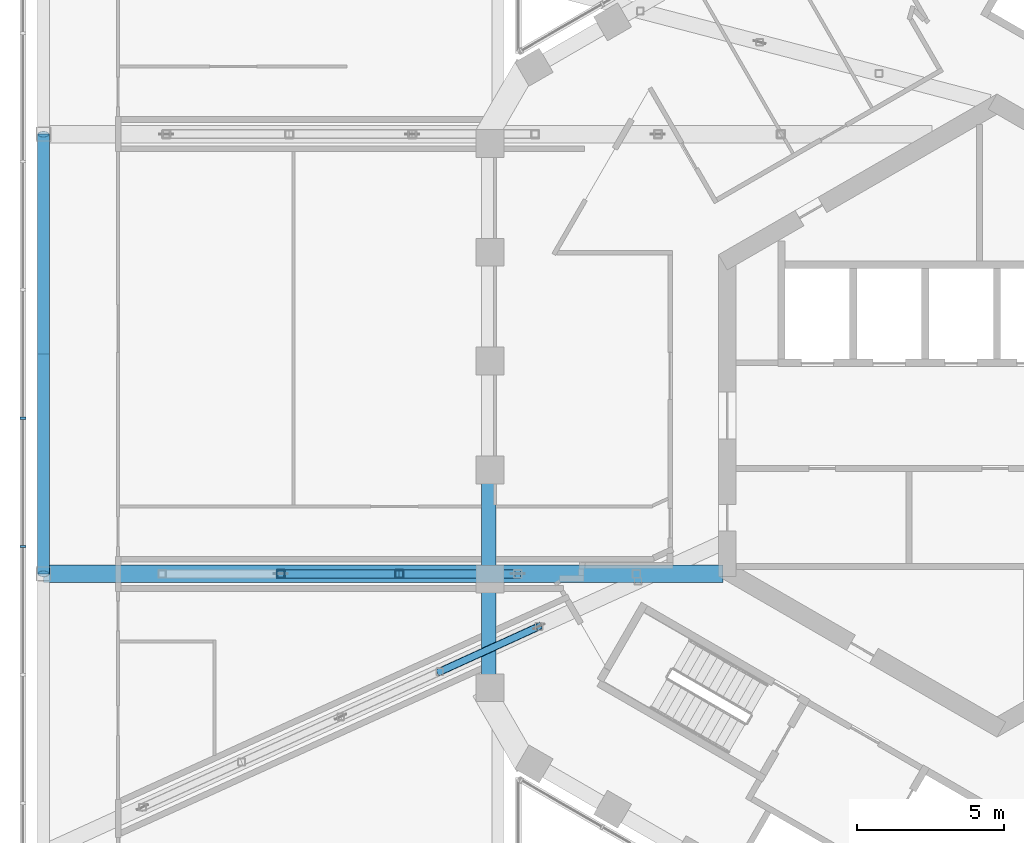
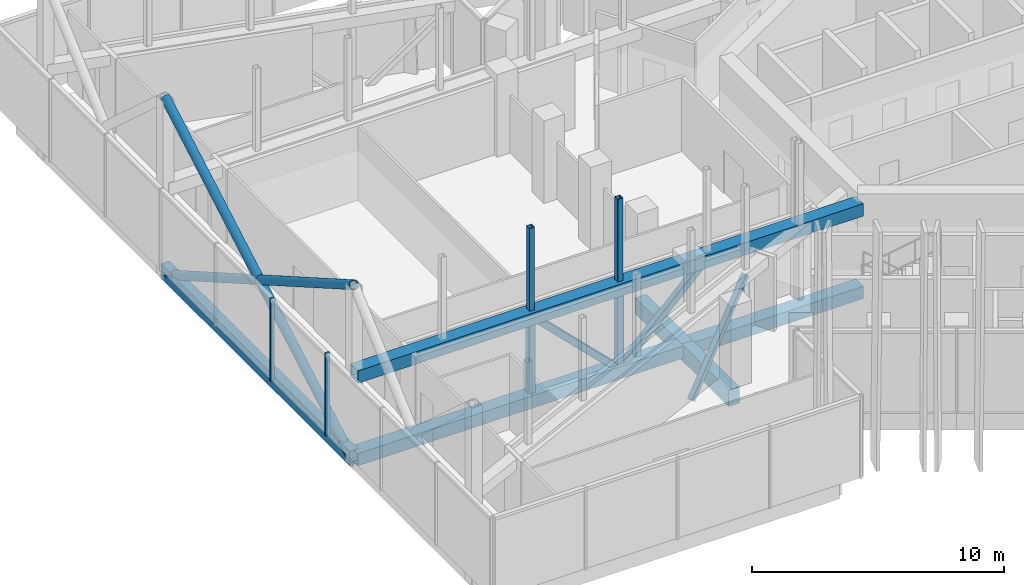
# One storey, part 4 of 28: 13 members, 3 beams, 1 element without a shape of its own.
"""IFC4 building model written with IfcOpenShell, lengths in metres."""

from ifc_helpers import new_model, si_unit, direction, frame, origin, origin_2d, place, context, subcontext, project, spatial, rectangle, hollow_rectangle, hollow_circle, extrude, material, layer, layer_set, material_profile, profile_set, type_object, element, aggregate, save


model = new_model("IFC4")

# Units and contexts
model_context = context("Model", 3, precision=1e-05, world=origin(), true_north=direction((0.0, 1.0)))
body_context = subcontext(model_context, "Body", "Model", "MODEL_VIEW")
ifc_project = project(units=[si_unit("LENGTHUNIT", "METRE"), si_unit("AREAUNIT", "SQUARE_METRE"), si_unit("VOLUMEUNIT", "CUBIC_METRE"), si_unit("PLANEANGLEUNIT", "RADIAN"), si_unit("MASSUNIT", "GRAM", prefix="KILO")], contexts=[model_context])

# Site, building, storey
site_placement = place(None, origin())
site = spatial("IfcSite", under=ifc_project, at=site_placement, CompositionType="ELEMENT")
building_placement = place(site_placement, origin())
building = spatial("IfcBuilding", under=site, at=building_placement, Name="Ayvan Gate Tower", CompositionType="ELEMENT")
storey_placement = place(building_placement, frame((0.0, 0.0, 202.10009765625)))
storey = spatial("IfcBuildingStorey", under=building, at=storey_placement, Name="L54", CompositionType="ELEMENT", Elevation=202.10009765625)

# Beam
ifc_material_1 = material(Name="Concrete C40/50", Category="concrete")
ifc_material_profile_1 = material_profile(ifc_material_1, rectangle(XDim=0.39990234375, YDim=0.699951171875, at=origin_2d()), Name="RC 400x700")
ifc_profile_set_1 = profile_set([ifc_material_profile_1], Name="Concrete C40/50")
beam_type_1 = type_object("IfcBeamType", Name="Sky bar edge beam RC 400x700 C40/50", PredefinedType="BEAM", material=ifc_profile_set_1)
beam_placement = place(storey_placement, frame((-32.524169921875, -5.39990234375, -0.75), z_axis=(0.0, 1.0, 0.0), x_axis=(-1.0, 0.0, 0.0)))
element("IfcBeam", 1, at=beam_placement, inside=storey, type_object=beam_type_1, Name="EB-B5-L54-5", PredefinedType="BEAM", context=body_context, shape_type="SweptSolid", body=[
    extrude(rectangle(XDim=0.39990234375, YDim=0.699951171875, at=origin_2d()), origin(), (0.0, 0.0, 1.0), 15.0),
])

# Members
ifc_material_2 = material(Name="Steel S460NH", Category="steel")
ifc_material_profile_2 = material_profile(ifc_material_2, hollow_rectangle(XDim=0.260009765625, YDim=0.260009765625, WallThickness=0.01611328125, InnerFilletRadius=0.01611328125, OuterFilletRadius=0.02392578125, at=origin_2d()), Name="RHS 260x260x16")
ifc_profile_set_2 = profile_set([ifc_material_profile_2], Name="Steel S460NH")
member_type_1 = type_object("IfcMemberType", Name="Sky bar end truss brace B5 RHS 260x260x16", PredefinedType="BRACE", material=ifc_profile_set_2)
member_1_placement = place(storey_placement, frame((-15.625732421875, -7.193603515625, 3.2998046875), z_axis=(-0.61912850505, -0.282349075517, -0.732774790634), x_axis=(0.414931682057, -0.909852570049, 0.0)))
element("IfcMember", 2, at=member_1_placement, inside=storey, type_object=member_type_1, Name="SBT5-4-D-3", PredefinedType="BRACE", context=body_context, shape_type="SweptSolid", body=[
    extrude(hollow_rectangle(XDim=0.260009765625, YDim=0.260009765625, WallThickness=0.01611328125, InnerFilletRadius=0.01611328125, OuterFilletRadius=0.02392578125, at=origin_2d()), origin(), (0.0, 0.0, 1.0), 5.458740234375),
])
ifc_material_profile_3 = material_profile(ifc_material_2, hollow_circle(Radius=0.203125, WallThickness=0.01611328125, at=origin_2d()), Name="CHS 406.4x16")
ifc_profile_set_3 = profile_set([ifc_material_profile_3], Name="Steel S460NH")
member_type_2 = type_object("IfcMemberType", Name="Sky bar exoskeleton brace CHS 406.4x16", PredefinedType="BRACE", material=ifc_profile_set_3)
for number, where, z_axis, x_axis, name in (
    (3, (-32.524169921875, 9.60009765625, -1.0), (0.0, -0.867534084296, 0.497377736317), (1.0, 0.0, 0.0), "EXO-B5-D2A"),
    (4, (-32.524169921875, -5.39990234375, -1.0), (0.0, 0.867534084296, 0.497377736317), (-1.0, 0.0, 0.0), "EXO-B5-D2B"),
):
    element("IfcMember", number, at=place(storey_placement, frame(where, z_axis=z_axis, x_axis=x_axis)), inside=storey, type_object=member_type_2, Name=name, PredefinedType="BRACE", context=body_context, shape_type="SweptSolid", body=[
        extrude(hollow_circle(Radius=0.203125, WallThickness=0.01611328125, at=origin_2d()), origin(), (0.0, 0.0, 1.0), 17.290283203125),
    ])
ifc_material_profile_4 = material_profile(ifc_material_2, hollow_rectangle(XDim=0.300048828125, YDim=0.300048828125, WallThickness=0.01611328125, InnerFilletRadius=0.01611328125, OuterFilletRadius=0.02392578125, at=origin_2d()), Name="RHS 300x300x16")
ifc_profile_set_4 = profile_set([ifc_material_profile_4], Name="Steel S460NH")
member_type_3 = type_object("IfcMemberType", Name="Sky bar truss brace B5 RHS 300x300x16", PredefinedType="BRACE", material=ifc_profile_set_4)
member_2_placement = place(storey_placement, frame((-16.344970703125, -5.39990234375, 3.2998046875), z_axis=(-0.711022875623, 0.0, -0.70316887754), x_axis=(0.0, -1.0, 0.0)))
element("IfcMember", 5, at=member_2_placement, inside=storey, type_object=member_type_3, Name="SBT5-3-D-3", PredefinedType="BRACE", context=body_context, shape_type="SweptSolid", body=[
    extrude(hollow_rectangle(XDim=0.300048828125, YDim=0.300048828125, WallThickness=0.01611328125, InnerFilletRadius=0.01611328125, OuterFilletRadius=0.02392578125, at=origin_2d()), origin(), (0.0, 0.0, 1.0), 5.6884765625),
])
member_3_placement = place(storey_placement, frame((-20.3896484375, -5.39990234375, -0.7001953125), z_axis=(-0.711044095316, 0.0, 0.703147420187), x_axis=(0.0, -1.0, 0.0)))
element("IfcMember", 6, at=member_3_placement, inside=storey, type_object=member_type_3, Name="SBT5-3-D-4", PredefinedType="BRACE", context=body_context, shape_type="SweptSolid", body=[
    extrude(hollow_rectangle(XDim=0.300048828125, YDim=0.300048828125, WallThickness=0.01611328125, InnerFilletRadius=0.01611328125, OuterFilletRadius=0.02392578125, at=origin_2d()), origin(), (0.0, 0.0, 1.0), 5.688720703125),
])
ifc_material_3 = material(Name="Steel S460ML", Category="steel")
ifc_material_profile_5 = material_profile(ifc_material_3, hollow_rectangle(XDim=0.60009765625, YDim=0.60009765625, WallThickness=0.034912109375, at=origin_2d()), Name="BOX 600x600x35")
ifc_profile_set_5 = profile_set([ifc_material_profile_5], Name="Steel S460ML")
member_type_4 = type_object("IfcMemberType", Name="Sky bar truss chord B5 BOX 600x600x35", PredefinedType="CHORD", material=ifc_profile_set_5)
for number, where, z_axis, x_axis, name in (
    (7, (-9.35009765625, -5.39990234375, -0.7001953125), (-1.0, 0.0, 0.0), (0.0, -1.0, 0.0), "SBT5-3-BC-1"),
    (8, (-9.35009765625, -5.39990234375, 3.2998046875), (-1.0, 0.0, 0.0), (0.0, -1.0, 0.0), "SBT5-3-TC-1"),
):
    element("IfcMember", number, at=place(storey_placement, frame(where, z_axis=z_axis, x_axis=x_axis)), inside=storey, type_object=member_type_4, Name=name, PredefinedType="CHORD", context=body_context, shape_type="SweptSolid", body=[
        extrude(hollow_rectangle(XDim=0.60009765625, YDim=0.60009765625, WallThickness=0.034912109375, at=origin_2d()), origin(), (0.0, 0.0, 1.0), 23.174072265625),
    ])
ifc_material_profile_6 = material_profile(ifc_material_2, hollow_rectangle(XDim=0.300048828125, YDim=0.300048828125, WallThickness=0.012451171875, InnerFilletRadius=0.012451171875, OuterFilletRadius=0.018798828125, at=origin_2d()), Name="RHS 300x300x12.5")
ifc_profile_set_6 = profile_set([ifc_material_profile_6], Name="Steel S460NH")
member_type_5 = type_object("IfcMemberType", Name="Sky bar truss post B5 RHS 300x300x12.5", PredefinedType="POST", material=ifc_profile_set_6)
for number, where, z_axis, x_axis, name in (
    (9, (-20.3896484375, -5.39990234375, -0.400146484375), (0.0, 0.0, 1.0), (1.0, 0.0, 0.0), "SBT5-3-P-3"),
    (10, (-24.4345703125, -5.39990234375, -0.400146484375), (0.0, 0.0, 1.0), (1.0, 0.0, 0.0), "SBT5-3-P-4"),
):
    element("IfcMember", number, at=place(storey_placement, frame(where, z_axis=z_axis, x_axis=x_axis)), inside=storey, type_object=member_type_5, Name=name, PredefinedType="POST", context=body_context, shape_type="SweptSolid", body=[
        extrude(hollow_rectangle(XDim=0.300048828125, YDim=0.300048828125, WallThickness=0.012451171875, InnerFilletRadius=0.012451171875, OuterFilletRadius=0.018798828125, at=origin_2d()), origin(), (0.0, 0.0, 1.0), 3.400146484375),
    ])
ifc_material_profile_7 = material_profile(ifc_material_2, hollow_rectangle(XDim=0.25, YDim=0.25, WallThickness=0.012451171875, InnerFilletRadius=0.012451171875, OuterFilletRadius=0.018798828125, at=origin_2d()), Name="RHS 250x250x12.5")
ifc_profile_set_7 = profile_set([ifc_material_profile_7], Name="Steel S460NH")
member_type_6 = type_object("IfcMemberType", Name="Sky bar upper post B5 RHS 250x250x12.5", PredefinedType="POST", material=ifc_profile_set_7)
for number, where, z_axis, x_axis, name in (
    (11, (-20.3896484375, -5.39990234375, 3.599853515625), (0.0, 0.0, 1.0), (1.0, 0.0, 0.0), "SBT5-3-U-3"),
    (12, (-24.4345703125, -5.39990234375, 3.599853515625), (0.0, 0.0, 1.0), (1.0, 0.0, 0.0), "SBT5-3-U-4"),
):
    element("IfcMember", number, at=place(storey_placement, frame(where, z_axis=z_axis, x_axis=x_axis)), inside=storey, type_object=member_type_6, Name=name, PredefinedType="POST", context=body_context, shape_type="SweptSolid", body=[
        extrude(hollow_rectangle(XDim=0.25, YDim=0.25, WallThickness=0.012451171875, InnerFilletRadius=0.012451171875, OuterFilletRadius=0.018798828125, at=origin_2d()), origin(), (0.0, 0.0, 1.0), 4.0),
    ])

# Beams
ifc_material_profile_8 = material_profile(ifc_material_1, rectangle(XDim=0.5, YDim=0.800048828125, at=origin_2d()), Name="RC 500x800")
ifc_profile_set_8 = profile_set([ifc_material_profile_8], Name="Concrete C40/50")
beam_type_2 = type_object("IfcBeamType", Name="Spandrel beam RC 500x800 C40/50", PredefinedType="BEAM", material=ifc_profile_set_8)
for number, where, z_axis, x_axis, name in (
    (13, (-17.338134765625, -1.8515625, -0.800048828125), (0.0, -1.0, 0.0), (1.0, 0.0, 0.0), "SB-L54-22"),
    (14, (-17.338134765625, -5.5546875, -0.800048828125), (0.0, -1.0, 0.0), (1.0, 0.0, 0.0), "SB-L54-23"),
):
    element("IfcBeam", number, at=place(storey_placement, frame(where, z_axis=z_axis, x_axis=x_axis)), inside=storey, type_object=beam_type_2, Name=name, PredefinedType="BEAM", context=body_context, shape_type="SweptSolid", body=[
        extrude(rectangle(XDim=0.5, YDim=0.800048828125, at=origin_2d()), origin(), (0.0, 0.0, 1.0), 3.703125),
    ])

# Curtain wall, members
ifc_material_4 = material(Name="Bronze anodised aluminium", Category="aluminium")
ifc_layer = layer(ifc_material_4, 0.199951171875)
ifc_layer_set = layer_set([ifc_layer], Name="Bronze anodised aluminium")
curtain_wall_type = type_object("IfcCurtainWallType", Name="Stick curtain wall CW-4", PredefinedType="NOTDEFINED", material=ifc_layer_set)
curtain_wall_placement = place(storey_placement, origin())
curtain_wall = element("IfcCurtainWall", 15, at=curtain_wall_placement, inside=storey, type_object=curtain_wall_type, Name="Stick curtain wall CW-4 L54", PredefinedType="NOTDEFINED")
ifc_material_profile_9 = material_profile(ifc_material_4, rectangle(XDim=0.199951171875, YDim=0.080078125, at=origin_2d()), Name="Stick curtain wall CW-4 mullion 200 x 80")
ifc_profile_set_9 = profile_set([ifc_material_profile_9], Name="Bronze anodised aluminium")
member_type_7 = type_object("IfcMemberType", Name="Stick curtain wall CW-4 mullion 200 x 80", PredefinedType="MULLION", material=ifc_profile_set_9)
member_4_placement = place(storey_placement, frame((-33.224365234375, -0.0888671875, 0.0), z_axis=(0.0, 0.0, 1.0), x_axis=(-1.0, 0.0, 0.0)))
member_4 = element("IfcMember", 16, at=member_4_placement, type_object=member_type_7, Name="CW-4 mullion 6", PredefinedType="MULLION", context=body_context, shape_type="SweptSolid", body=[
    extrude(rectangle(XDim=0.199951171875, YDim=0.080078125, at=origin_2d()), origin(), (0.0, 0.0, 1.0), 4.0),
])
member_5_placement = place(storey_placement, frame((-33.224365234375, -4.466552734375, 0.0), z_axis=(0.0, 0.0, 1.0), x_axis=(-1.0, 0.0, 0.0)))
member_5 = element("IfcMember", 17, at=member_5_placement, type_object=member_type_7, Name="CW-4 mullion 7", PredefinedType="MULLION", context=body_context, shape_type="SweptSolid", body=[
    extrude(rectangle(XDim=0.199951171875, YDim=0.080078125, at=origin_2d()), origin(), (0.0, 0.0, 1.0), 4.0),
])
aggregate(curtain_wall, [member_4, member_5])

save(model, "model.ifc")
